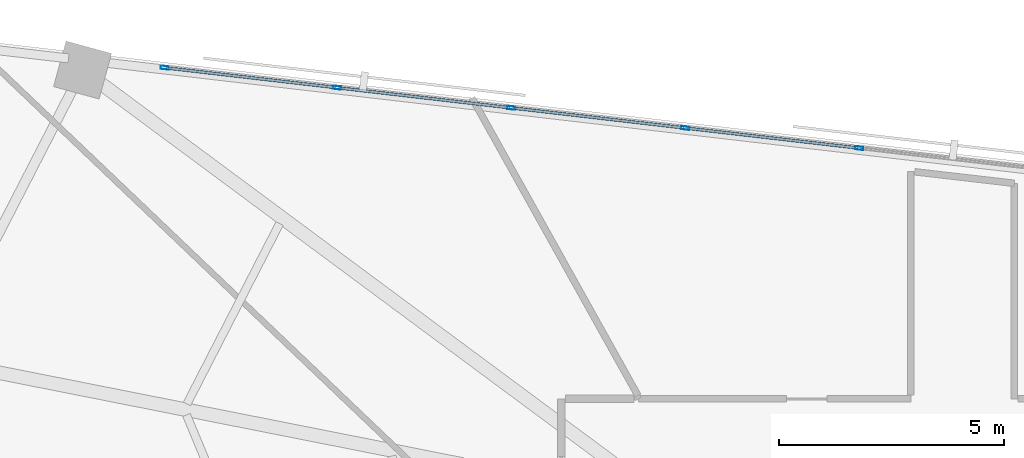
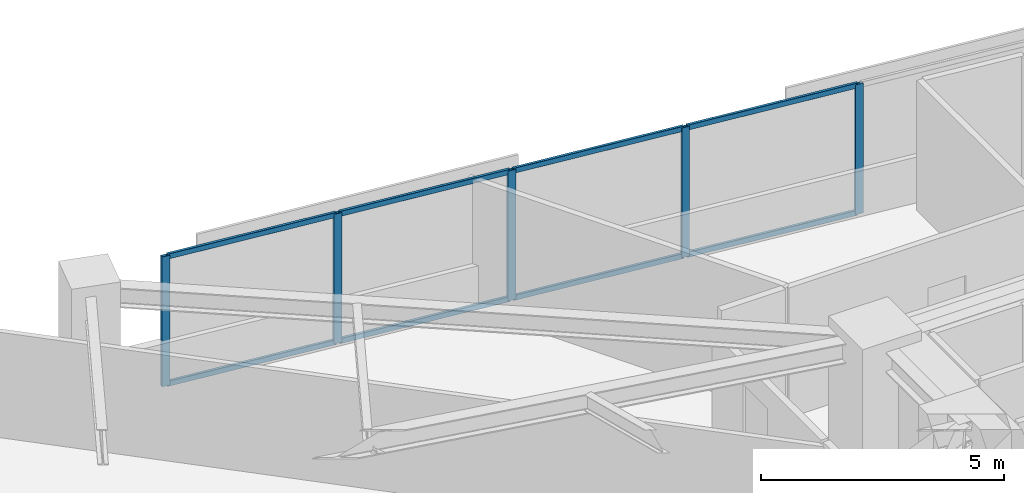
# One storey, part 7 of 14: 13 members, 1 element without a shape of its own.
"""IFC4 building model written with IfcOpenShell, lengths in metres."""

from ifc_helpers import new_model, si_unit, direction, frame, origin, origin_2d, place, context, subcontext, project, spatial, hollow_rectangle, extrude, material, material_profile, profile_set, type_object, element, aggregate, save


model = new_model("IFC4")

# Units and contexts
model_context = context("Model", 3, precision=1e-05, world=origin(), true_north=direction((0.0, 1.0)))
body_context = subcontext(model_context, "Body", "Model", "MODEL_VIEW")
ifc_project = project(units=[si_unit("LENGTHUNIT", "METRE"), si_unit("AREAUNIT", "SQUARE_METRE"), si_unit("VOLUMEUNIT", "CUBIC_METRE"), si_unit("PLANEANGLEUNIT", "RADIAN"), si_unit("MASSUNIT", "GRAM", prefix="KILO")], contexts=[model_context])

# Site, building, storey
site_placement = place(None, origin())
site = spatial("IfcSite", under=ifc_project, at=site_placement, CompositionType="ELEMENT")
building_placement = place(site_placement, origin())
building = spatial("IfcBuilding", under=site, at=building_placement, Name="Narakoshi Arena Tower", CompositionType="ELEMENT")
storey_placement = place(building_placement, frame((0.0, 0.0, 218.5)))
storey = spatial("IfcBuildingStorey", under=building, at=storey_placement, Name="L59", CompositionType="ELEMENT", Elevation=218.5)

# Curtain wall, members
ifc_material = material(Name="Anodised bronze aluminium 6063-T6", Category="aluminium")
curtain_wall_type = type_object("IfcCurtainWallType", Name="CW-HYP-MID", PredefinedType="NOTDEFINED", material=ifc_material)
curtain_wall_placement = place(storey_placement, origin())
curtain_wall = element("IfcCurtainWall", 1, at=curtain_wall_placement, inside=storey, type_object=curtain_wall_type, Name="L59 Folded Hypotenuse Curtain Wall 2-1", PredefinedType="NOTDEFINED")
ifc_material_profile_1 = material_profile(ifc_material, hollow_rectangle(XDim=0.074951171875, YDim=0.179931640625, WallThickness=0.00390625, OuterFilletRadius=0.0048828125, at=origin_2d()), Name="MUL180x75x4")
ifc_profile_set_1 = profile_set([ifc_material_profile_1], Name="Anodised bronze aluminium 6063-T6")
member_type_1 = type_object("IfcMemberType", Name="MEM-MUL-180", PredefinedType="MULLION", material=ifc_profile_set_1)
member_1_placement = place(storey_placement, frame((76.20068359375, 64.446533203125, 0.0), z_axis=(0.0, 0.0, 1.0), x_axis=(-0.115011296816, -0.993364183774, 0.0)))
member_1 = element("IfcMember", 2, at=member_1_placement, type_object=member_type_1, Name="CW-02 mullion 3", PredefinedType="MULLION", context=body_context, shape_type="SweptSolid", body=[
    extrude(hollow_rectangle(XDim=0.074951171875, YDim=0.179931640625, WallThickness=0.00390625, OuterFilletRadius=0.0048828125, at=origin_2d()), origin(), (0.0, 0.0, 1.0), 3.260009765625),
])
member_2_placement = place(storey_placement, frame((72.33154296875, 64.894287109375, 0.0), z_axis=(0.0, 0.0, 1.0), x_axis=(-0.115011296816, -0.993364183774, 0.0)))
member_2 = element("IfcMember", 3, at=member_2_placement, type_object=member_type_1, Name="CW-02 mullion 4", PredefinedType="MULLION", context=body_context, shape_type="SweptSolid", body=[
    extrude(hollow_rectangle(XDim=0.074951171875, YDim=0.179931640625, WallThickness=0.00390625, OuterFilletRadius=0.0048828125, at=origin_2d()), origin(), (0.0, 0.0, 1.0), 3.260009765625),
])
member_3_placement = place(storey_placement, frame((68.46240234375, 65.34228515625, 0.0), z_axis=(0.0, 0.0, 1.0), x_axis=(-0.115011296816, -0.993364183774, 0.0)))
member_3 = element("IfcMember", 4, at=member_3_placement, type_object=member_type_1, Name="CW-02 mullion 5", PredefinedType="MULLION", context=body_context, shape_type="SweptSolid", body=[
    extrude(hollow_rectangle(XDim=0.074951171875, YDim=0.179931640625, WallThickness=0.00390625, OuterFilletRadius=0.0048828125, at=origin_2d()), origin(), (0.0, 0.0, 1.0), 3.260009765625),
])
member_4_placement = place(storey_placement, frame((64.59326171875, 65.790283203125, 0.0), z_axis=(0.0, 0.0, 1.0), x_axis=(-0.115011296816, -0.993364183774, 0.0)))
member_4 = element("IfcMember", 5, at=member_4_placement, type_object=member_type_1, Name="CW-02 mullion 6", PredefinedType="MULLION", context=body_context, shape_type="SweptSolid", body=[
    extrude(hollow_rectangle(XDim=0.074951171875, YDim=0.179931640625, WallThickness=0.00390625, OuterFilletRadius=0.0048828125, at=origin_2d()), origin(), (0.0, 0.0, 1.0), 3.260009765625),
])
member_5_placement = place(storey_placement, frame((60.76123046875, 66.23388671875, 0.0), z_axis=(0.0, 0.0, 1.0), x_axis=(-0.115011296816, -0.993364183774, 0.0)))
member_5 = element("IfcMember", 6, at=member_5_placement, type_object=member_type_1, Name="CW-02 mullion 7", PredefinedType="MULLION", context=body_context, shape_type="SweptSolid", body=[
    extrude(hollow_rectangle(XDim=0.074951171875, YDim=0.179931640625, WallThickness=0.00390625, OuterFilletRadius=0.0048828125, at=origin_2d()), origin(), (0.0, 0.0, 1.0), 3.260009765625),
])
ifc_material_profile_2 = material_profile(ifc_material, hollow_rectangle(XDim=0.06494140625, YDim=0.1298828125, WallThickness=0.00390625, OuterFilletRadius=0.0048828125, at=origin_2d()), Name="TRN130x65x4")
ifc_profile_set_2 = profile_set([ifc_material_profile_2], Name="Anodised bronze aluminium 6063-T6")
member_type_2 = type_object("IfcMemberType", Name="MEM-TRN-130", PredefinedType="USERDEFINED", material=ifc_profile_set_2)
member_6_placement = place(storey_placement, frame((76.163330078125, 64.45068359375, 0.032470703125), z_axis=(-0.993360986362, 0.115038909828, 0.0), x_axis=(-0.115038909828, -0.993360986362, 0.0)))
member_6 = element("IfcMember", 7, at=member_6_placement, type_object=member_type_2, Name="CW-02 transom 3.1", ObjectType="TRANSOM", PredefinedType="USERDEFINED", context=body_context, shape_type="SweptSolid", body=[
    extrude(hollow_rectangle(XDim=0.06494140625, YDim=0.1298828125, WallThickness=0.00390625, OuterFilletRadius=0.0048828125, at=origin_2d()), origin(), (0.0, 0.0, 1.0), 3.820068359375),
])
member_7_placement = place(storey_placement, frame((76.163330078125, 64.45068359375, 3.2275390625), z_axis=(-0.993360986362, 0.115038909828, 0.0), x_axis=(-0.115038909828, -0.993360986362, 0.0)))
member_7 = element("IfcMember", 8, at=member_7_placement, type_object=member_type_2, Name="CW-02 transom 3.2", ObjectType="TRANSOM", PredefinedType="USERDEFINED", context=body_context, shape_type="SweptSolid", body=[
    extrude(hollow_rectangle(XDim=0.06494140625, YDim=0.1298828125, WallThickness=0.00390625, OuterFilletRadius=0.0048828125, at=origin_2d()), origin(), (0.0, 0.0, 1.0), 3.820068359375),
])
member_8_placement = place(storey_placement, frame((72.294189453125, 64.898681640625, 0.032470703125), z_axis=(-0.993360986362, 0.115038909828, 0.0), x_axis=(-0.115038909828, -0.993360986362, 0.0)))
member_8 = element("IfcMember", 9, at=member_8_placement, type_object=member_type_2, Name="CW-02 transom 4.1", ObjectType="TRANSOM", PredefinedType="USERDEFINED", context=body_context, shape_type="SweptSolid", body=[
    extrude(hollow_rectangle(XDim=0.06494140625, YDim=0.1298828125, WallThickness=0.00390625, OuterFilletRadius=0.0048828125, at=origin_2d()), origin(), (0.0, 0.0, 1.0), 3.820068359375),
])
member_9_placement = place(storey_placement, frame((72.294189453125, 64.898681640625, 3.2275390625), z_axis=(-0.993360986362, 0.115038909828, 0.0), x_axis=(-0.115038909828, -0.993360986362, 0.0)))
member_9 = element("IfcMember", 10, at=member_9_placement, type_object=member_type_2, Name="CW-02 transom 4.2", ObjectType="TRANSOM", PredefinedType="USERDEFINED", context=body_context, shape_type="SweptSolid", body=[
    extrude(hollow_rectangle(XDim=0.06494140625, YDim=0.1298828125, WallThickness=0.00390625, OuterFilletRadius=0.0048828125, at=origin_2d()), origin(), (0.0, 0.0, 1.0), 3.820068359375),
])
member_10_placement = place(storey_placement, frame((68.425048828125, 65.3466796875, 0.032470703125), z_axis=(-0.993360986362, 0.115038909828, 0.0), x_axis=(-0.115038909828, -0.993360986362, 0.0)))
member_10 = element("IfcMember", 11, at=member_10_placement, type_object=member_type_2, Name="CW-02 transom 5.1", ObjectType="TRANSOM", PredefinedType="USERDEFINED", context=body_context, shape_type="SweptSolid", body=[
    extrude(hollow_rectangle(XDim=0.06494140625, YDim=0.1298828125, WallThickness=0.00390625, OuterFilletRadius=0.0048828125, at=origin_2d()), origin(), (0.0, 0.0, 1.0), 3.820068359375),
])
member_11_placement = place(storey_placement, frame((68.425048828125, 65.3466796875, 3.2275390625), z_axis=(-0.993360986362, 0.115038909828, 0.0), x_axis=(-0.115038909828, -0.993360986362, 0.0)))
member_11 = element("IfcMember", 12, at=member_11_placement, type_object=member_type_2, Name="CW-02 transom 5.2", ObjectType="TRANSOM", PredefinedType="USERDEFINED", context=body_context, shape_type="SweptSolid", body=[
    extrude(hollow_rectangle(XDim=0.06494140625, YDim=0.1298828125, WallThickness=0.00390625, OuterFilletRadius=0.0048828125, at=origin_2d()), origin(), (0.0, 0.0, 1.0), 3.820068359375),
])
member_12_placement = place(storey_placement, frame((64.555908203125, 65.794677734375, 0.032470703125), z_axis=(-0.993363061903, 0.115020986115, 0.0), x_axis=(-0.115020986115, -0.993363061903, 0.0)))
member_12 = element("IfcMember", 13, at=member_12_placement, type_object=member_type_2, Name="CW-02 transom 6.1", ObjectType="TRANSOM", PredefinedType="USERDEFINED", context=body_context, shape_type="SweptSolid", body=[
    extrude(hollow_rectangle(XDim=0.06494140625, YDim=0.1298828125, WallThickness=0.00390625, OuterFilletRadius=0.0048828125, at=origin_2d()), origin(), (0.0, 0.0, 1.0), 3.782470703125),
])
member_13_placement = place(storey_placement, frame((64.555908203125, 65.794677734375, 3.2275390625), z_axis=(-0.993363061903, 0.115020986115, 0.0), x_axis=(-0.115020986115, -0.993363061903, 0.0)))
member_13 = element("IfcMember", 14, at=member_13_placement, type_object=member_type_2, Name="CW-02 transom 6.2", ObjectType="TRANSOM", PredefinedType="USERDEFINED", context=body_context, shape_type="SweptSolid", body=[
    extrude(hollow_rectangle(XDim=0.06494140625, YDim=0.1298828125, WallThickness=0.00390625, OuterFilletRadius=0.0048828125, at=origin_2d()), origin(), (0.0, 0.0, 1.0), 3.782470703125),
])
aggregate(curtain_wall, [member_1, member_2, member_3, member_4, member_5, member_6, member_7, member_8, member_9, member_10, member_11, member_12, member_13])

save(model, "model.ifc")
